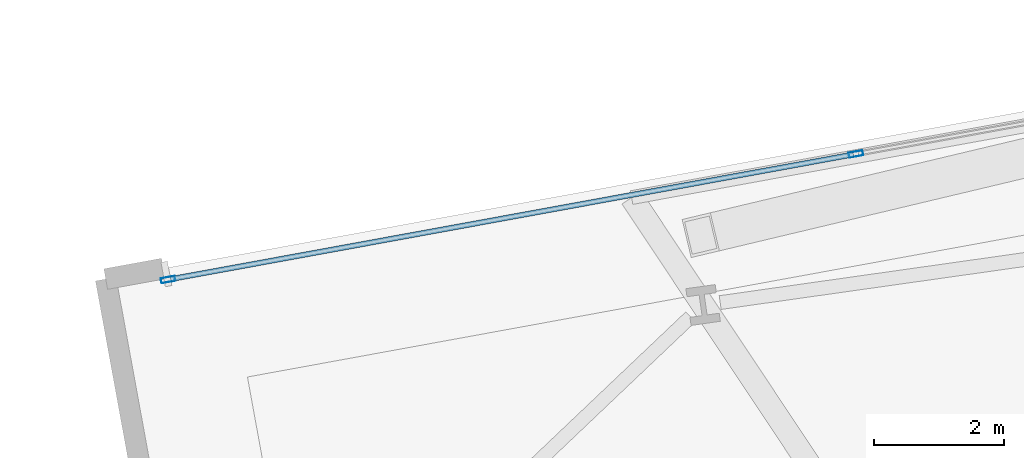
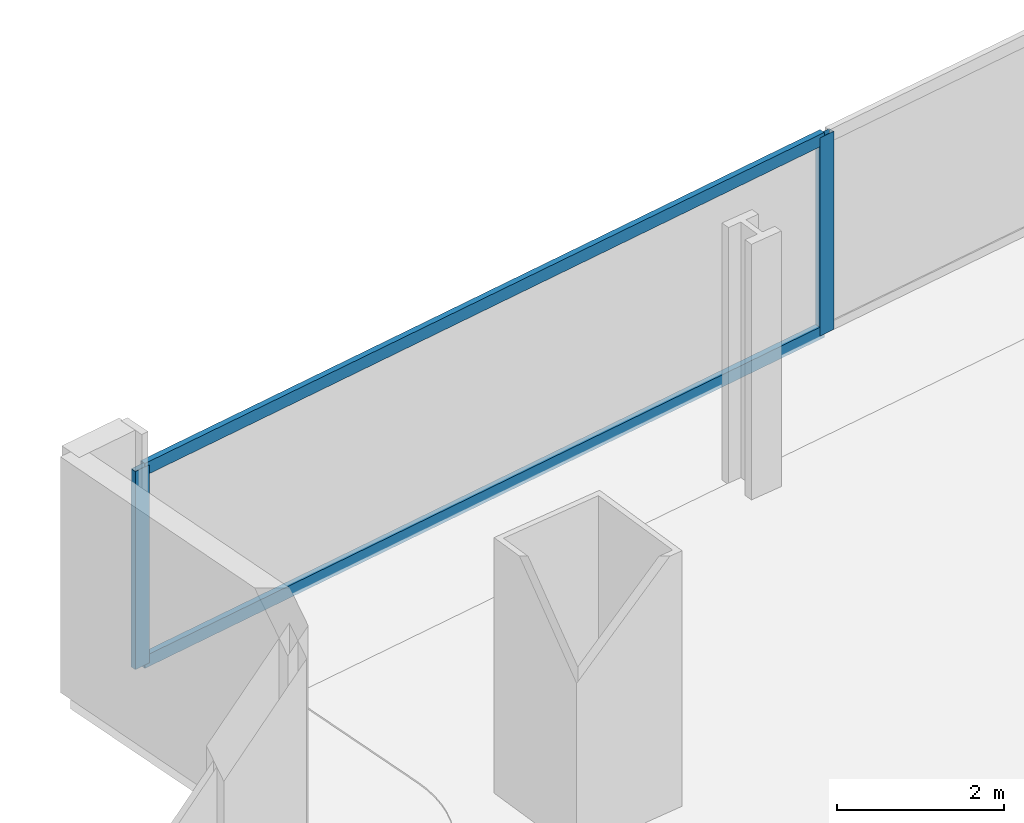
# One storey, part 18 of 34: 4 members, 1 element without a shape of its own.
"""IFC4 building model written with IfcOpenShell, lengths in metres."""

import ifcopenshell
import ifcopenshell.guid

model = None  # the IFC model being written
_history = None  # IfcOwnerHistory: only IFC2X3 demands one
_inside = {}  # id of a spatial element -> (the spatial element, [elements in it])
_under = {}  # id of a project, library or spatial element -> (it, [spatial elements below it])
_declared = {}  # id of a project -> (the project, [libraries it declares])
_typed = {}  # id of a type object -> (the type object, [elements of that type])
_made_of = {}  # id of a material, layer set ... -> (it, [elements and type objects made of it])


def new_model(schema):
    """Start an empty IFC model of exactly this schema.

    Asked for "IFC4X3", IfcOpenShell would pick the latest addendum, in which some entities
    have other attributes; the version numbers below select the first issue.
    IFC2X3 requires an IfcOwnerHistory on every rooted entity: one is made here for all.
    """
    global model, _history
    if schema == "IFC4X3":
        model = ifcopenshell.file(schema_version=(4, 3, 0, 0))
    else:
        model = ifcopenshell.file(schema=schema)
    _inside.clear()
    _under.clear()
    _declared.clear()
    _typed.clear()
    _made_of.clear()
    _history = None
    if model.schema == "IFC2X3":
        org = make("IfcOrganization", Name="unknown")
        user = make(
            "IfcPersonAndOrganization",
            ThePerson=make("IfcPerson", FamilyName="unknown"),
            TheOrganization=org,
        )
        app = make(
            "IfcApplication",
            ApplicationDeveloper=org,
            Version="unknown",
            ApplicationFullName="unknown",
            ApplicationIdentifier="unknown",
        )
        _history = make(
            "IfcOwnerHistory",
            OwningUser=user,
            OwningApplication=app,
            ChangeAction="ADDED",
            CreationDate=0,
        )
    return model


def make(cls, **values):
    """One entity of the class cls with the attributes given. An attribute that is None is left unset."""
    return model.create_entity(
        cls, **{name: value for name, value in values.items() if value is not None}
    )


def rooted(cls, **values):
    """An entity with a GlobalId (a new one), such as an element, a storey or a relation."""
    return make(cls, GlobalId=ifcopenshell.guid.new(), OwnerHistory=_history, **values)


def si_unit(unit_type, name, prefix=None):
    """IfcSIUnit, for example si_unit("LENGTHUNIT", "METRE", prefix="MILLI")."""
    return make("IfcSIUnit", UnitType=unit_type, Prefix=prefix, Name=name)


def assignment(units):
    """IfcUnitAssignment: the units of a project."""
    return None if units is None else make("IfcUnitAssignment", Units=units)


def point(xyz):
    """IfcCartesianPoint."""
    return None if xyz is None else make("IfcCartesianPoint", Coordinates=xyz)


def direction(xyz):
    """IfcDirection."""
    return None if xyz is None else make("IfcDirection", DirectionRatios=xyz)


def frame(location, z_axis=None, x_axis=None):
    """IfcAxis2Placement3D, a coordinate frame: its origin and axes. An axis left out is left unset."""
    return make(
        "IfcAxis2Placement3D",
        Location=point(location),
        Axis=direction(z_axis),
        RefDirection=direction(x_axis),
    )


def frame_2d(location, x_axis=None):
    """IfcAxis2Placement2D, a coordinate frame in the plane: its origin and x axis."""
    return make(
        "IfcAxis2Placement2D", Location=point(location), RefDirection=direction(x_axis)
    )


def origin():
    """The frame at (0, 0, 0) with its axes left unset."""
    return frame((0.0, 0.0, 0.0))


def origin_2d():
    """The frame at (0, 0) in the plane with its x axis left unset."""
    return frame_2d((0.0, 0.0))


def place(relative_to, where):
    """IfcLocalPlacement: puts the frame where relative to a parent placement (None: the world)."""
    return make(
        "IfcLocalPlacement", PlacementRelTo=relative_to, RelativePlacement=where
    )


def context(
    kind, dimensions, precision=None, world=None, true_north=None, identifier=None
):
    """IfcGeometricRepresentationContext, for example the 3D "Model" context."""
    return make(
        "IfcGeometricRepresentationContext",
        ContextIdentifier=identifier,
        ContextType=kind,
        CoordinateSpaceDimension=dimensions,
        Precision=precision,
        WorldCoordinateSystem=world,
        TrueNorth=true_north,
    )


def subcontext(parent, identifier, kind, view, scale=None):
    """IfcGeometricRepresentationSubContext, for example "Body" below "Model"."""
    return make(
        "IfcGeometricRepresentationSubContext",
        ContextIdentifier=identifier,
        ContextType=kind,
        ParentContext=parent,
        TargetScale=scale,
        TargetView=view,
    )


def project(units=None, contexts=None):
    """IfcProject with its units and contexts."""
    return rooted(
        "IfcProject",
        Name="project",
        RepresentationContexts=contexts,
        UnitsInContext=assignment(units),
    )


def spatial(cls, under=None, at=None, **own):
    """A site, building, storey or space (cls), placed at a placement, below another one or the project."""
    s = rooted(cls, ObjectPlacement=at, **own)
    if under is not None:
        _under.setdefault(under.id(), (under, []))[1].append(s)
    return s


def profile(cls, at=None, kind="AREA", **sizes):
    """A parametric profile (cls). Its sizes go by their IFC names, for example OverallWidth=200.0."""
    return make(cls, ProfileType=kind, Position=at, **sizes)


def hollow_rectangle(**sizes):
    """IfcRectangleHollowProfileDef."""
    return profile("IfcRectangleHollowProfileDef", **sizes)


def extrude(swept, where, along, depth):
    """IfcExtrudedAreaSolid: the profile swept, set in the frame where, extruded along a direction by depth."""
    return make(
        "IfcExtrudedAreaSolid",
        SweptArea=swept,
        Position=where,
        ExtrudedDirection=direction(along),
        Depth=depth,
    )


def shape(context_of_items, identifier, shape_type, items):
    """IfcShapeRepresentation: the items that make up one representation, for example the "Body"."""
    return make(
        "IfcShapeRepresentation",
        ContextOfItems=context_of_items,
        RepresentationIdentifier=identifier,
        RepresentationType=shape_type,
        Items=items,
    )


def material(Name=None, Category=None):
    """IfcMaterial."""
    return make("IfcMaterial", Name=Name, Category=Category)


def material_profile(
    of_material, cross_section, Name=None, Category=None, Priority=None
):
    """IfcMaterialProfile: a cross section and its material."""
    return make(
        "IfcMaterialProfile",
        Name=Name,
        Material=of_material,
        Profile=cross_section,
        Priority=Priority,
        Category=Category,
    )


def profile_set(profiles, Name=None, composite=None):
    """IfcMaterialProfileSet."""
    return make(
        "IfcMaterialProfileSet",
        Name=Name,
        MaterialProfiles=profiles,
        CompositeProfile=composite,
    )


def made_of(thing, what):
    """Note that an element or type object is made of a material, layer set ...; save() writes the relation."""
    if what is not None:
        _made_of.setdefault(what.id(), (what, []))[1].append(thing)
    return thing


def type_object(cls, material=None, **own):
    """A type object (cls), such as IfcWallType, which elements share."""
    return made_of(rooted(cls, **own), material)


def element(
    cls,
    number,
    at=None,
    inside=None,
    cuts=None,
    type_object=None,
    material=None,
    context=None,
    identifier="Body",
    shape_type=None,
    held_by="IfcProductDefinitionShape",
    body=None,
    shapes=None,
    **own,
):
    """One element of the class cls, such as IfcWall. Its Tag is "e" and its number.

    at: its placement. inside: the storey or other place that contains it. cuts: it is an
    opening in that element (IfcRelVoidsElement). A single representation is given by context,
    identifier, shape_type and body (its items); several are given by shapes. held_by: the class
    of the entity that holds the representations. save() writes the other relations.
    """
    e = rooted(cls, Tag="e%d" % number, ObjectPlacement=at, **own)
    if body is not None:
        shapes = [shape(context, identifier, shape_type, body)]
    if shapes is not None:
        e.Representation = make(held_by, Representations=shapes)
    if inside is not None:
        _inside.setdefault(inside.id(), (inside, []))[1].append(e)
    if cuts is not None:
        rooted(
            "IfcRelVoidsElement", RelatingBuildingElement=cuts, RelatedOpeningElement=e
        )
    if type_object is not None:
        _typed.setdefault(type_object.id(), (type_object, []))[1].append(e)
    return made_of(e, material)


def aggregate(whole, parts):
    """IfcRelAggregates: a whole, such as a stair, and the parts it consists of."""
    return rooted("IfcRelAggregates", RelatingObject=whole, RelatedObjects=parts)


def save(model, path):
    """Write the relations noted so far, then the file.

    IfcRelAggregates (storeys below a building ...), IfcRelContainedInSpatialStructure (elements
    in a storey), IfcRelDefinesByType, IfcRelAssociatesMaterial and IfcRelDeclares: one each for
    every whole, place, type object, material and project.
    """
    for whole, parts in _under.values():
        aggregate(whole, parts)
    for where, things in _inside.values():
        rooted(
            "IfcRelContainedInSpatialStructure",
            RelatedElements=things,
            RelatingStructure=where,
        )
    for kind, things in _typed.values():
        rooted("IfcRelDefinesByType", RelatedObjects=things, RelatingType=kind)
    for what, things in _made_of.values():
        rooted("IfcRelAssociatesMaterial", RelatedObjects=things, RelatingMaterial=what)
    for by, libraries in _declared.values():
        rooted("IfcRelDeclares", RelatingContext=by, RelatedDefinitions=libraries)
    model.write(path)


model = new_model("IFC4")

# Units and contexts
model_context = context("Model", 3, precision=1e-05, world=origin(), true_north=direction((0.0, 1.0)))
body_context = subcontext(model_context, "Body", "Model", "MODEL_VIEW")
ifc_project = project(units=[si_unit("LENGTHUNIT", "METRE"), si_unit("AREAUNIT", "SQUARE_METRE"), si_unit("VOLUMEUNIT", "CUBIC_METRE"), si_unit("PLANEANGLEUNIT", "RADIAN"), si_unit("MASSUNIT", "GRAM", prefix="KILO")], contexts=[model_context])

# Site, building, storey
site_placement = place(None, origin())
site = spatial("IfcSite", under=ifc_project, at=site_placement, CompositionType="ELEMENT")
building_placement = place(site_placement, origin())
building = spatial("IfcBuilding", under=site, at=building_placement, Name="Haldenkirk Collegiate Tower", CompositionType="ELEMENT")
storey_placement = place(building_placement, frame((0.0, 0.0, 62.699951171875)))
storey = spatial("IfcBuildingStorey", under=building, at=storey_placement, Name="L14", CompositionType="ELEMENT", Elevation=62.699951171875)

# Curtain wall, members
ifc_material = material(Name="Anodised architectural bronze aluminium", Category="aluminium")
curtain_wall_type = type_object("IfcCurtainWallType", Name="CW-SYS1-CONVEX-LOW", PredefinedType="USERDEFINED", material=ifc_material)
curtain_wall_placement = place(storey_placement, origin())
curtain_wall = element("IfcCurtainWall", 1, at=curtain_wall_placement, inside=storey, type_object=curtain_wall_type, Name="L14 Lower tower convex bronze-framed unitised curtain wall", ObjectType="UNITISED CURTAIN WALL", PredefinedType="USERDEFINED")
ifc_material_profile_1 = material_profile(ifc_material, hollow_rectangle(XDim=0.080078125, YDim=0.219970703125, WallThickness=0.0048828125, at=origin_2d()), Name="CW-MUL-1A")
ifc_profile_set_1 = profile_set([ifc_material_profile_1], Name="Anodised architectural bronze aluminium")
member_type_1 = type_object("IfcMemberType", Name="CW-MUL-1A", PredefinedType="MULLION", material=ifc_profile_set_1)
member_1_placement = place(storey_placement, frame((10.26416015625, 47.191162109375, 0.0), z_axis=(0.0, 0.0, 1.0), x_axis=(-0.179659417405, 0.983728872067, 0.0)))
member_1 = element("IfcMember", 2, at=member_1_placement, type_object=member_type_1, Name="CW-1A mullion 1", PredefinedType="MULLION", context=body_context, shape_type="SweptSolid", body=[
    extrude(hollow_rectangle(XDim=0.080078125, YDim=0.219970703125, WallThickness=0.0048828125, at=origin_2d()), origin(), (0.0, 0.0, 1.0), 2.89111328125),
])
member_2_placement = place(storey_placement, frame((20.824462890625, 49.11962890625, 0.0), z_axis=(0.0, 0.0, 1.0), x_axis=(-0.179659417405, 0.983728872067, 0.0)))
member_2 = element("IfcMember", 3, at=member_2_placement, type_object=member_type_1, Name="CW-1A mullion 2", PredefinedType="MULLION", context=body_context, shape_type="SweptSolid", body=[
    extrude(hollow_rectangle(XDim=0.080078125, YDim=0.219970703125, WallThickness=0.0048828125, at=origin_2d()), origin(), (0.0, 0.0, 1.0), 2.89111328125),
])
ifc_material_profile_2 = material_profile(ifc_material, hollow_rectangle(XDim=0.080078125, YDim=0.179931640625, WallThickness=0.0048828125, at=origin_2d()), Name="CW-TRN-1A")
ifc_profile_set_2 = profile_set([ifc_material_profile_2], Name="Anodised architectural bronze aluminium")
member_type_2 = type_object("IfcMemberType", Name="CW-TRN-1A", PredefinedType="USERDEFINED", material=ifc_profile_set_2)
member_3_placement = place(storey_placement, frame((10.303466796875, 47.1982421875, 0.0400390625), z_axis=(0.983727719476, 0.179665728324, 0.0), x_axis=(-0.179665728324, 0.983727719476, 0.0)))
member_3 = element("IfcMember", 4, at=member_3_placement, type_object=member_type_2, Name="CW-1A transom 1.1", ObjectType="TRANSOM", PredefinedType="USERDEFINED", context=body_context, shape_type="SweptSolid", body=[
    extrude(hollow_rectangle(XDim=0.080078125, YDim=0.179931640625, WallThickness=0.0048828125, at=origin_2d()), origin(), (0.0, 0.0, 1.0), 10.65478515625),
])
member_4_placement = place(storey_placement, frame((10.303466796875, 47.1982421875, 2.85107421875), z_axis=(0.983727719476, 0.179665728324, 0.0), x_axis=(-0.179665728324, 0.983727719476, 0.0)))
member_4 = element("IfcMember", 5, at=member_4_placement, type_object=member_type_2, Name="CW-1A transom 1.2", ObjectType="TRANSOM", PredefinedType="USERDEFINED", context=body_context, shape_type="SweptSolid", body=[
    extrude(hollow_rectangle(XDim=0.080078125, YDim=0.179931640625, WallThickness=0.0048828125, at=origin_2d()), origin(), (0.0, 0.0, 1.0), 10.65478515625),
])
aggregate(curtain_wall, [member_1, member_2, member_3, member_4])

save(model, "model.ifc")
